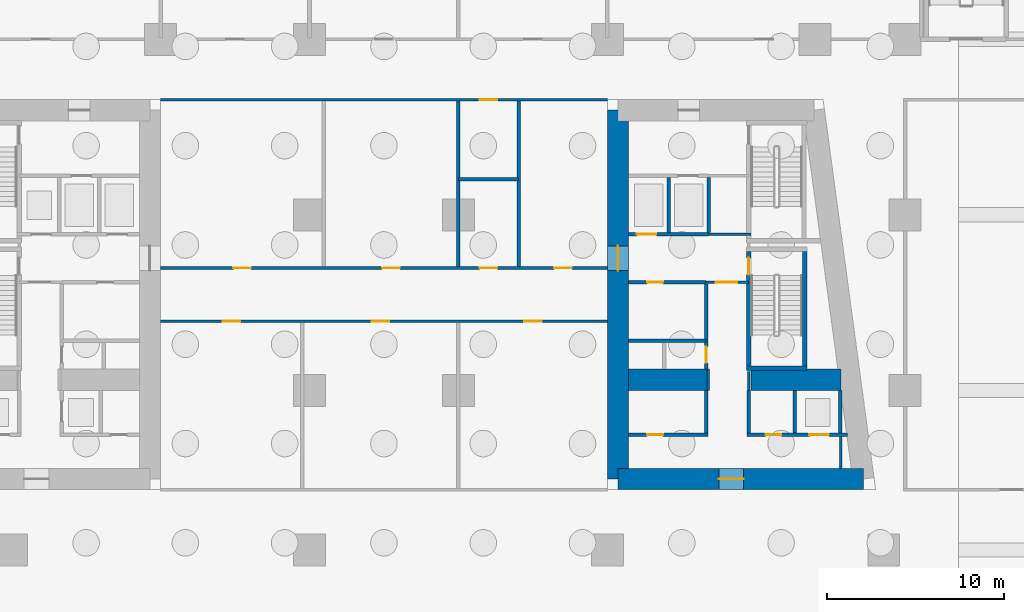
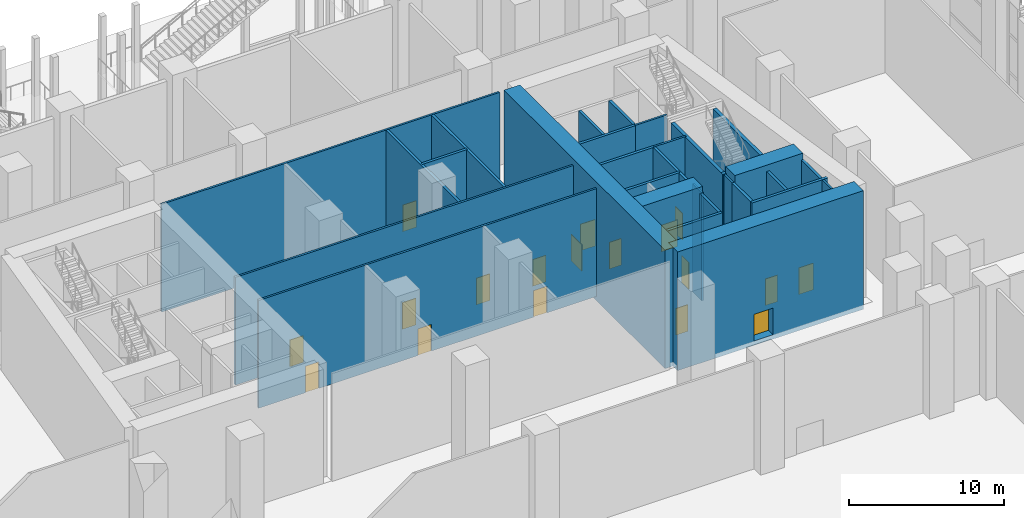
# One storey, part 44 of 72: 30 walls, 18 doors, 18 openings.
"""IFC4 building model written with IfcOpenShell, lengths in metres."""

from ifc_helpers import new_model, si_unit, direction, frame, frame_2d, origin, place, context, subcontext, project, spatial, rectangle, extrude, material, layer, layer_set, type_object, element, fill, save


model = new_model("IFC4")

# Units and contexts
model_context = context("Model", 3, precision=1e-05, world=origin(), true_north=direction((0.0, 1.0)))
body_context = subcontext(model_context, "Body", "Model", "MODEL_VIEW")
ifc_project = project(units=[si_unit("LENGTHUNIT", "METRE"), si_unit("AREAUNIT", "SQUARE_METRE"), si_unit("VOLUMEUNIT", "CUBIC_METRE"), si_unit("PLANEANGLEUNIT", "RADIAN"), si_unit("MASSUNIT", "GRAM", prefix="KILO")], contexts=[model_context])

# Site, building, storey
site_placement = place(None, origin())
site = spatial("IfcSite", under=ifc_project, at=site_placement, CompositionType="ELEMENT")
building_placement = place(site_placement, origin())
building = spatial("IfcBuilding", under=site, at=building_placement, Name="Candeia Pilgrim Tower and Theatre", CompositionType="ELEMENT")
storey_placement = place(building_placement, origin())
storey = spatial("IfcBuildingStorey", under=building, at=storey_placement, Name="L00", CompositionType="ELEMENT", Elevation=0.0)

# Wall, opening, door
ifc_material_1 = material(Name="Concrete C80/95", Category="concrete")
ifc_layer_1 = layer(ifc_material_1, 1.199951171875)
ifc_layer_set_1 = layer_set([ifc_layer_1], Name="Core wall 1200 C80/95")
wall_type_1 = type_object("IfcWallType", Name="Core wall 1200 C80/95", PredefinedType="SHEAR", material=ifc_layer_set_1)
wall_1_placement = place(storey_placement, frame((140.444580078125, 111.0, -0.35009765625), z_axis=(0.0, 0.0, 1.0), x_axis=(-1.0, 0.0, 0.0)))
wall_1 = element("IfcWall", 1, at=wall_1_placement, inside=storey, type_object=wall_type_1, Name="Core wall E3", PredefinedType="SHEAR", context=body_context, shape_type="SweptSolid", body=[
    extrude(rectangle(XDim=13.844482421875, YDim=1.199951171875, at=frame_2d((6.92236328125, 0.0))), origin(), (0.0, 0.0, 1.0), 9.35009765625),
])
opening_1_placement = place(wall_1_placement, frame((6.751220703125, 0.0, 0.35009765625)))
opening_1 = element("IfcOpeningElement", 2, at=opening_1_placement, cuts=wall_1, Name="Opening L00-D048", PredefinedType="OPENING", context=body_context, shape_type="SweptSolid", body=[
    extrude(rectangle(XDim=1.39990234375, YDim=2.10009765625, at=frame_2d((0.699951171875, 1.050048828125))), frame((0.0, 0.60986328125, 0.0), z_axis=(0.0, -1.0, 0.0), x_axis=(1.0, 0.0, 0.0)), (0.0, 0.0, 1.0), 1.219970703125),
])
ifc_material_2 = material(Name="Steel fire door set", Category="steel")
door_type_1 = type_object("IfcDoorType", Name="D-1400-FD60", OperationType="NOTDEFINED", PredefinedType="DOOR", material=ifc_material_2)
door_1_placement = place(opening_1_placement, origin())
door_1 = element("IfcDoor", 3, at=door_1_placement, inside=storey, type_object=door_type_1, Name="Door L00-D048", OperationType="SINGLE_SWING_LEFT", OverallHeight=2.10009765625, OverallWidth=1.39990234375, PredefinedType="DOOR", context=body_context, shape_type="SweptSolid", body=[
    extrude(rectangle(XDim=1.39990234375, YDim=2.10009765625, at=frame_2d((0.699951171875, 1.050048828125))), frame((0.0, 0.02490234375, 0.0), z_axis=(0.0, -1.0, 0.0), x_axis=(1.0, 0.0, 0.0)), (0.0, 0.0, 1.0), 0.050048828125),
])
fill(opening_1, door_1)

wall_2_placement = place(storey_placement, frame((126.60009765625, 111.0, -0.35009765625), z_axis=(0.0, 0.0, 1.0), x_axis=(0.0, 1.0, 0.0)))
wall_2 = element("IfcWall", 4, at=wall_2_placement, inside=storey, type_object=wall_type_1, Name="Core wall E4", PredefinedType="SHEAR", context=body_context, shape_type="SweptSolid", body=[
    extrude(rectangle(XDim=20.800048828125, YDim=1.199951171875, at=frame_2d((10.39990234375, 0.0))), origin(), (0.0, 0.0, 1.0), 9.35009765625),
])
opening_2_placement = place(wall_2_placement, frame((11.75, 0.0, 0.35009765625)))
opening_2 = element("IfcOpeningElement", 5, at=opening_2_placement, cuts=wall_2, Name="Opening L00-D050", PredefinedType="OPENING", context=body_context, shape_type="SweptSolid", body=[
    extrude(rectangle(XDim=1.39990234375, YDim=2.10009765625, at=frame_2d((0.699951171875, 1.050048828125))), frame((0.0, 0.60986328125, 0.0), z_axis=(0.0, -1.0, 0.0), x_axis=(1.0, 0.0, 0.0)), (0.0, 0.0, 1.0), 1.219970703125),
])
door_2_placement = place(opening_2_placement, origin())
door_2 = element("IfcDoor", 6, at=door_2_placement, inside=storey, type_object=door_type_1, Name="Door L00-D050", OperationType="SINGLE_SWING_LEFT", OverallHeight=2.10009765625, OverallWidth=1.39990234375, PredefinedType="DOOR", context=body_context, shape_type="SweptSolid", body=[
    extrude(rectangle(XDim=1.39990234375, YDim=2.10009765625, at=frame_2d((0.699951171875, 1.050048828125))), frame((0.0, 0.02490234375, 0.0), z_axis=(0.0, -1.0, 0.0), x_axis=(1.0, 0.0, 0.0)), (0.0, 0.0, 1.0), 0.050048828125),
])
fill(opening_2, door_2)

# Walls
wall_3_placement = place(storey_placement, frame((127.199951171875, 116.60009765625, -0.35009765625), z_axis=(0.0, 0.0, 1.0), x_axis=(1.0, 0.0, 0.0)))
element("IfcWall", 7, at=wall_3_placement, inside=storey, type_object=wall_type_1, Name="Core wall E5", PredefinedType="SHEAR", context=body_context, shape_type="SweptSolid", body=[
    extrude(rectangle(XDim=4.5, YDim=1.199951171875, at=frame_2d((2.25, 0.0))), origin(), (0.0, 0.0, 1.0), 9.35009765625),
])
wall_4_placement = place(storey_placement, frame((134.10009765625, 116.60009765625, -0.35009765625), z_axis=(0.0, 0.0, 1.0), x_axis=(1.0, 0.0, 0.0)))
element("IfcWall", 8, at=wall_4_placement, inside=storey, type_object=wall_type_1, Name="Core wall E6", PredefinedType="SHEAR", context=body_context, shape_type="SweptSolid", body=[
    extrude(rectangle(XDim=5.076904296875, YDim=1.199951171875, at=frame_2d((2.53857421875, 0.0))), origin(), (0.0, 0.0, 1.0), 9.35009765625),
])

# Wall, opening, door
ifc_material_3 = material(Name="Gypsum board partition on steel studs", Category="steel")
ifc_layer_2 = layer(ifc_material_3, 0.14990234375)
ifc_layer_set_2 = layer_set([ifc_layer_2], Name="PW-150 lobby wall")
wall_type_2 = type_object("IfcWallType", Name="PW-150 lobby wall", PredefinedType="PARTITIONING", material=ifc_layer_set_2)
wall_5_placement = place(storey_placement, frame((131.572998046875, 122.10009765625, 0.0), z_axis=(0.0, 0.0, 1.0), x_axis=(1.0, 0.0, 0.0)))
wall_5 = element("IfcWall", 9, at=wall_5_placement, inside=storey, type_object=wall_type_2, Name="Lobby wall L00-017", PredefinedType="PARTITIONING", context=body_context, shape_type="SweptSolid", body=[
    extrude(rectangle(XDim=2.39990234375, YDim=0.14990234375, at=frame_2d((1.199951171875, 0.0))), origin(), (0.0, 0.0, 1.0), 8.5),
])
opening_3_placement = place(wall_5_placement, frame((0.550048828125, 0.0, 0.0)))
opening_3 = element("IfcOpeningElement", 10, at=opening_3_placement, cuts=wall_5, Name="Opening L00-D038", PredefinedType="OPENING", context=body_context, shape_type="SweptSolid", body=[
    extrude(rectangle(XDim=1.199951171875, YDim=2.10009765625, at=frame_2d((0.60009765625, 1.050048828125))), frame((0.0, 0.0849609375, 0.0), z_axis=(0.0, -1.0, 0.0), x_axis=(1.0, 0.0, 0.0)), (0.0, 0.0, 1.0), 0.169921875),
])
door_type_2 = type_object("IfcDoorType", Name="D-1200-FD60", OperationType="NOTDEFINED", PredefinedType="DOOR", material=ifc_material_2)
door_3_placement = place(opening_3_placement, origin())
door_3 = element("IfcDoor", 11, at=door_3_placement, inside=storey, type_object=door_type_2, Name="Door L00-D038", OperationType="SINGLE_SWING_RIGHT", OverallHeight=2.10009765625, OverallWidth=1.199951171875, PredefinedType="DOOR", context=body_context, shape_type="SweptSolid", body=[
    extrude(rectangle(XDim=1.199951171875, YDim=2.10009765625, at=frame_2d((0.60009765625, 1.050048828125))), frame((0.0, 0.02490234375, 0.0), z_axis=(0.0, -1.0, 0.0), x_axis=(1.0, 0.0, 0.0)), (0.0, 0.0, 1.0), 0.050048828125),
])
fill(opening_3, door_3)

# Walls
wall_6_placement = place(storey_placement, frame((131.71533203125, 124.800048828125, 0.0), z_axis=(0.0, 0.0, 1.0), x_axis=(1.0, 0.0, 0.0)))
element("IfcWall", 12, at=wall_6_placement, inside=storey, type_object=wall_type_2, Name="Lobby wall L00-025", PredefinedType="PARTITIONING", context=body_context, shape_type="SweptSolid", body=[
    extrude(rectangle(XDim=2.382568359375, YDim=0.14990234375, at=frame_2d((1.19140625, 0.0))), origin(), (0.0, 0.0, 1.0), 8.5),
])
wall_7_placement = place(storey_placement, frame((131.699951171875, 116.0, 0.0), z_axis=(0.0, 0.0, 1.0), x_axis=(0.0, 1.0, 0.0)))
element("IfcWall", 13, at=wall_7_placement, inside=storey, type_object=wall_type_2, Name="Lobby wall L00-081", PredefinedType="PARTITIONING", context=body_context, shape_type="SweptSolid", body=[
    extrude(rectangle(XDim=1.199951171875, YDim=0.14990234375, at=frame_2d((0.60009765625, 0.0))), origin(), (0.0, 0.0, 1.0), 8.5),
])
wall_8_placement = place(storey_placement, frame((133.972900390625, 116.0, 0.0), z_axis=(0.0, 0.0, 1.0), x_axis=(0.0, 1.0, 0.0)))
element("IfcWall", 14, at=wall_8_placement, inside=storey, type_object=wall_type_2, Name="Lobby wall L00-084", PredefinedType="PARTITIONING", context=body_context, shape_type="SweptSolid", body=[
    extrude(rectangle(XDim=1.074951171875, YDim=0.14990234375, at=frame_2d((0.53759765625, 0.0))), origin(), (0.0, 0.0, 1.0), 8.5),
])
wall_9_placement = place(storey_placement, frame((139.1689453125, 111.60009765625, 0.0), z_axis=(0.0, 0.0, 1.0), x_axis=(0.0, 1.0, 0.0)))
element("IfcWall", 15, at=wall_9_placement, inside=storey, type_object=wall_type_2, Name="Lobby wall L00-092", PredefinedType="PARTITIONING", context=body_context, shape_type="SweptSolid", body=[
    extrude(rectangle(XDim=1.7998046875, YDim=0.14990234375, at=frame_2d((0.89990234375, 0.0))), origin(), (0.0, 0.0, 1.0), 8.5),
])

# Wall, openings, doors
ifc_layer_3 = layer(ifc_material_3, 0.14990234375)
ifc_layer_set_3 = layer_set([ifc_layer_3], Name="PW-150 unit wall")
wall_type_3 = type_object("IfcWallType", Name="PW-150 unit wall", PredefinedType="PARTITIONING", material=ifc_layer_set_3)
wall_10_placement = place(storey_placement, frame((100.800048828125, 119.89990234375, 0.0), z_axis=(0.0, 0.0, 1.0), x_axis=(1.0, 0.0, 0.0)))
wall_10 = element("IfcWall", 16, at=wall_10_placement, inside=storey, type_object=wall_type_3, Name="Unit wall L00-013", PredefinedType="PARTITIONING", context=body_context, shape_type="SweptSolid", body=[
    extrude(rectangle(XDim=25.199951171875, YDim=0.14990234375, at=frame_2d((12.60009765625, 0.0))), origin(), (0.0, 0.0, 1.0), 8.5),
])
opening_4_placement = place(wall_10_placement, frame((3.5, 0.0, 0.0)))
opening_4 = element("IfcOpeningElement", 17, at=opening_4_placement, cuts=wall_10, Name="Opening L00-D009", PredefinedType="OPENING", context=body_context, shape_type="SweptSolid", body=[
    extrude(rectangle(XDim=1.0, YDim=2.10009765625, at=frame_2d((0.5, 1.050048828125))), frame((0.0, 0.0849609375, 0.0), z_axis=(0.0, -1.0, 0.0), x_axis=(1.0, 0.0, 0.0)), (0.0, 0.0, 1.0), 0.169921875),
])
opening_5_placement = place(wall_10_placement, frame((11.89990234375, 0.0, 0.0)))
opening_5 = element("IfcOpeningElement", 18, at=opening_5_placement, cuts=wall_10, Name="Opening L00-D010", PredefinedType="OPENING", context=body_context, shape_type="SweptSolid", body=[
    extrude(rectangle(XDim=1.0, YDim=2.10009765625, at=frame_2d((0.5, 1.050048828125))), frame((0.0, 0.0849609375, 0.0), z_axis=(0.0, -1.0, 0.0), x_axis=(1.0, 0.0, 0.0)), (0.0, 0.0, 1.0), 0.169921875),
])
opening_6_placement = place(wall_10_placement, frame((20.5, 0.0, 0.0)))
opening_6 = element("IfcOpeningElement", 19, at=opening_6_placement, cuts=wall_10, Name="Opening L00-D011", PredefinedType="OPENING", context=body_context, shape_type="SweptSolid", body=[
    extrude(rectangle(XDim=1.0, YDim=2.10009765625, at=frame_2d((0.5, 1.050048828125))), frame((0.0, 0.0849609375, 0.0), z_axis=(0.0, -1.0, 0.0), x_axis=(1.0, 0.0, 0.0)), (0.0, 0.0, 1.0), 0.169921875),
])
door_type_3 = type_object("IfcDoorType", Name="D-1000-FD30S", OperationType="NOTDEFINED", PredefinedType="DOOR", material=ifc_material_2)
door_4_placement = place(opening_4_placement, origin())
door_4 = element("IfcDoor", 20, at=door_4_placement, inside=storey, type_object=door_type_3, Name="Door L00-D009", OperationType="SINGLE_SWING_LEFT", OverallHeight=2.10009765625, OverallWidth=1.0, PredefinedType="DOOR", context=body_context, shape_type="SweptSolid", body=[
    extrude(rectangle(XDim=1.0, YDim=2.10009765625, at=frame_2d((0.5, 1.050048828125))), frame((0.0, 0.02490234375, 0.0), z_axis=(0.0, -1.0, 0.0), x_axis=(1.0, 0.0, 0.0)), (0.0, 0.0, 1.0), 0.050048828125),
])
fill(opening_4, door_4)
door_5_placement = place(opening_5_placement, origin())
door_5 = element("IfcDoor", 21, at=door_5_placement, inside=storey, type_object=door_type_3, Name="Door L00-D010", OperationType="SINGLE_SWING_RIGHT", OverallHeight=2.10009765625, OverallWidth=1.0, PredefinedType="DOOR", context=body_context, shape_type="SweptSolid", body=[
    extrude(rectangle(XDim=1.0, YDim=2.10009765625, at=frame_2d((0.5, 1.050048828125))), frame((0.0, 0.02490234375, 0.0), z_axis=(0.0, -1.0, 0.0), x_axis=(1.0, 0.0, 0.0)), (0.0, 0.0, 1.0), 0.050048828125),
])
fill(opening_5, door_5)
door_6_placement = place(opening_6_placement, origin())
door_6 = element("IfcDoor", 22, at=door_6_placement, inside=storey, type_object=door_type_3, Name="Door L00-D011", OperationType="SINGLE_SWING_LEFT", OverallHeight=2.10009765625, OverallWidth=1.0, PredefinedType="DOOR", context=body_context, shape_type="SweptSolid", body=[
    extrude(rectangle(XDim=1.0, YDim=2.10009765625, at=frame_2d((0.5, 1.050048828125))), frame((0.0, 0.02490234375, 0.0), z_axis=(0.0, -1.0, 0.0), x_axis=(1.0, 0.0, 0.0)), (0.0, 0.0, 1.0), 0.050048828125),
])
fill(opening_6, door_6)

wall_11_placement = place(storey_placement, frame((100.800048828125, 122.89990234375, 0.0), z_axis=(0.0, 0.0, 1.0), x_axis=(1.0, 0.0, 0.0)))
wall_11 = element("IfcWall", 23, at=wall_11_placement, inside=storey, type_object=wall_type_3, Name="Unit wall L00-018", PredefinedType="PARTITIONING", context=body_context, shape_type="SweptSolid", body=[
    extrude(rectangle(XDim=25.199951171875, YDim=0.14990234375, at=frame_2d((12.60009765625, 0.0))), origin(), (0.0, 0.0, 1.0), 8.5),
])
opening_7_placement = place(wall_11_placement, frame((4.10009765625, 0.0, 0.0)))
opening_7 = element("IfcOpeningElement", 24, at=opening_7_placement, cuts=wall_11, Name="Opening L00-D012", PredefinedType="OPENING", context=body_context, shape_type="SweptSolid", body=[
    extrude(rectangle(XDim=1.0, YDim=2.10009765625, at=frame_2d((0.5, 1.050048828125))), frame((0.0, 0.0849609375, 0.0), z_axis=(0.0, -1.0, 0.0), x_axis=(1.0, 0.0, 0.0)), (0.0, 0.0, 1.0), 0.169921875),
])
opening_8_placement = place(wall_11_placement, frame((12.5, 0.0, 0.0)))
opening_8 = element("IfcOpeningElement", 25, at=opening_8_placement, cuts=wall_11, Name="Opening L00-D013", PredefinedType="OPENING", context=body_context, shape_type="SweptSolid", body=[
    extrude(rectangle(XDim=1.0, YDim=2.10009765625, at=frame_2d((0.5, 1.050048828125))), frame((0.0, 0.0849609375, 0.0), z_axis=(0.0, -1.0, 0.0), x_axis=(1.0, 0.0, 0.0)), (0.0, 0.0, 1.0), 0.169921875),
])
opening_9_placement = place(wall_11_placement, frame((18.0, 0.0, 0.0)))
opening_9 = element("IfcOpeningElement", 26, at=opening_9_placement, cuts=wall_11, Name="Opening L00-D014", PredefinedType="OPENING", context=body_context, shape_type="SweptSolid", body=[
    extrude(rectangle(XDim=1.0, YDim=2.10009765625, at=frame_2d((0.5, 1.050048828125))), frame((0.0, 0.0849609375, 0.0), z_axis=(0.0, -1.0, 0.0), x_axis=(1.0, 0.0, 0.0)), (0.0, 0.0, 1.0), 0.169921875),
])
opening_10_placement = place(wall_11_placement, frame((22.199951171875, 0.0, 0.0)))
opening_10 = element("IfcOpeningElement", 27, at=opening_10_placement, cuts=wall_11, Name="Opening L00-D015", PredefinedType="OPENING", context=body_context, shape_type="SweptSolid", body=[
    extrude(rectangle(XDim=1.0, YDim=2.10009765625, at=frame_2d((0.5, 1.050048828125))), frame((0.0, 0.0849609375, 0.0), z_axis=(0.0, -1.0, 0.0), x_axis=(1.0, 0.0, 0.0)), (0.0, 0.0, 1.0), 0.169921875),
])
door_7_placement = place(opening_7_placement, origin())
door_7 = element("IfcDoor", 28, at=door_7_placement, inside=storey, type_object=door_type_3, Name="Door L00-D012", OperationType="SINGLE_SWING_RIGHT", OverallHeight=2.10009765625, OverallWidth=1.0, PredefinedType="DOOR", context=body_context, shape_type="SweptSolid", body=[
    extrude(rectangle(XDim=1.0, YDim=2.10009765625, at=frame_2d((0.5, 1.050048828125))), frame((0.0, 0.02490234375, 0.0), z_axis=(0.0, -1.0, 0.0), x_axis=(1.0, 0.0, 0.0)), (0.0, 0.0, 1.0), 0.050048828125),
])
fill(opening_7, door_7)
door_8_placement = place(opening_8_placement, origin())
door_8 = element("IfcDoor", 29, at=door_8_placement, inside=storey, type_object=door_type_3, Name="Door L00-D013", OperationType="SINGLE_SWING_LEFT", OverallHeight=2.10009765625, OverallWidth=1.0, PredefinedType="DOOR", context=body_context, shape_type="SweptSolid", body=[
    extrude(rectangle(XDim=1.0, YDim=2.10009765625, at=frame_2d((0.5, 1.050048828125))), frame((0.0, 0.02490234375, 0.0), z_axis=(0.0, -1.0, 0.0), x_axis=(1.0, 0.0, 0.0)), (0.0, 0.0, 1.0), 0.050048828125),
])
fill(opening_8, door_8)
door_9_placement = place(opening_9_placement, origin())
door_9 = element("IfcDoor", 30, at=door_9_placement, inside=storey, type_object=door_type_3, Name="Door L00-D014", OperationType="SINGLE_SWING_RIGHT", OverallHeight=2.10009765625, OverallWidth=1.0, PredefinedType="DOOR", context=body_context, shape_type="SweptSolid", body=[
    extrude(rectangle(XDim=1.0, YDim=2.10009765625, at=frame_2d((0.5, 1.050048828125))), frame((0.0, 0.02490234375, 0.0), z_axis=(0.0, -1.0, 0.0), x_axis=(1.0, 0.0, 0.0)), (0.0, 0.0, 1.0), 0.050048828125),
])
fill(opening_9, door_9)
door_10_placement = place(opening_10_placement, origin())
door_10 = element("IfcDoor", 31, at=door_10_placement, inside=storey, type_object=door_type_3, Name="Door L00-D015", OperationType="SINGLE_SWING_LEFT", OverallHeight=2.10009765625, OverallWidth=1.0, PredefinedType="DOOR", context=body_context, shape_type="SweptSolid", body=[
    extrude(rectangle(XDim=1.0, YDim=2.10009765625, at=frame_2d((0.5, 1.050048828125))), frame((0.0, 0.02490234375, 0.0), z_axis=(0.0, -1.0, 0.0), x_axis=(1.0, 0.0, 0.0)), (0.0, 0.0, 1.0), 0.050048828125),
])
fill(opening_10, door_10)

# Wall, opening, door
wall_12_placement = place(storey_placement, frame((100.800048828125, 132.39990234375, 0.0), z_axis=(0.0, 0.0, 1.0), x_axis=(1.0, 0.0, 0.0)))
wall_12 = element("IfcWall", 32, at=wall_12_placement, inside=storey, type_object=wall_type_3, Name="Unit wall L00-033", PredefinedType="PARTITIONING", context=body_context, shape_type="SweptSolid", body=[
    extrude(rectangle(XDim=25.199951171875, YDim=0.14990234375, at=frame_2d((12.60009765625, 0.0))), origin(), (0.0, 0.0, 1.0), 8.5),
])
opening_11_placement = place(wall_12_placement, frame((18.0, 0.0, 0.0)))
opening_11 = element("IfcOpeningElement", 33, at=opening_11_placement, cuts=wall_12, Name="Opening L00-D016", PredefinedType="OPENING", context=body_context, shape_type="SweptSolid", body=[
    extrude(rectangle(XDim=1.0, YDim=2.10009765625, at=frame_2d((0.5, 1.050048828125))), frame((0.0, 0.0849609375, 0.0), z_axis=(0.0, -1.0, 0.0), x_axis=(1.0, 0.0, 0.0)), (0.0, 0.0, 1.0), 0.169921875),
])
door_11_placement = place(opening_11_placement, origin())
door_11 = element("IfcDoor", 34, at=door_11_placement, inside=storey, type_object=door_type_3, Name="Door L00-D016", OperationType="SINGLE_SWING_RIGHT", OverallHeight=2.10009765625, OverallWidth=1.0, PredefinedType="DOOR", context=body_context, shape_type="SweptSolid", body=[
    extrude(rectangle(XDim=1.0, YDim=2.10009765625, at=frame_2d((0.5, 1.050048828125))), frame((0.0, 0.02490234375, 0.0), z_axis=(0.0, -1.0, 0.0), x_axis=(1.0, 0.0, 0.0)), (0.0, 0.0, 1.0), 0.050048828125),
])
fill(opening_11, door_11)

# Walls
ifc_layer_4 = layer(ifc_material_3, 0.199951171875)
ifc_layer_set_4 = layer_set([ifc_layer_4], Name="PW-200 party wall")
wall_type_4 = type_object("IfcWallType", Name="PW-200 party wall", PredefinedType="PARTITIONING", material=ifc_layer_set_4)
wall_13_placement = place(storey_placement, frame((117.60009765625, 127.89990234375, 0.0), z_axis=(0.0, 0.0, 1.0), x_axis=(1.0, 0.0, 0.0)))
element("IfcWall", 35, at=wall_13_placement, inside=storey, type_object=wall_type_4, Name="Party wall L00-026", PredefinedType="PARTITIONING", context=body_context, shape_type="SweptSolid", body=[
    extrude(rectangle(XDim=3.39990234375, YDim=0.199951171875, at=frame_2d((1.699951171875, 0.0))), origin(), (0.0, 0.0, 1.0), 8.5),
])
for number, where, z_axis, x_axis, name in (
    (36, (117.60009765625, 122.97509765625, 0.0), (0.0, 0.0, 1.0), (0.0, 1.0, 0.0), "Party wall L00-073"),
    (37, (121.0, 122.97509765625, 0.0), (0.0, 0.0, 1.0), (0.0, 1.0, 0.0), "Party wall L00-075"),
):
    element("IfcWall", number, at=place(storey_placement, frame(where, z_axis=z_axis, x_axis=x_axis)), inside=storey, type_object=wall_type_4, Name=name, PredefinedType="PARTITIONING", context=body_context, shape_type="SweptSolid", body=[
        extrude(rectangle(XDim=9.349853515625, YDim=0.199951171875, at=frame_2d((4.6748046875, 0.0))), origin(), (0.0, 0.0, 1.0), 8.5),
    ])

# Wall, opening, door
ifc_material_4 = material(Name="Concrete C40/50", Category="concrete")
ifc_layer_5 = layer(ifc_material_4, 0.199951171875)
ifc_layer_set_5 = layer_set([ifc_layer_5], Name="SW-200 shaft wall")
wall_type_5 = type_object("IfcWallType", Name="SW-200 shaft wall", PredefinedType="PARTITIONING", material=ifc_layer_set_5)
wall_14_placement = place(storey_placement, frame((127.199951171875, 113.5, 0.0), z_axis=(0.0, 0.0, 1.0), x_axis=(1.0, 0.0, 0.0)))
wall_14 = element("IfcWall", 38, at=wall_14_placement, inside=storey, type_object=wall_type_5, Name="Shaft wall L00-007", PredefinedType="PARTITIONING", context=body_context, shape_type="SweptSolid", body=[
    extrude(rectangle(XDim=4.47314453125, YDim=0.199951171875, at=frame_2d((2.236572265625, 0.0))), origin(), (0.0, 0.0, 1.0), 8.5),
])
opening_12_placement = place(wall_14_placement, frame((1.04296875, 0.0, 0.0)))
opening_12 = element("IfcOpeningElement", 39, at=opening_12_placement, cuts=wall_14, Name="Opening L00-D044", PredefinedType="OPENING", context=body_context, shape_type="SweptSolid", body=[
    extrude(rectangle(XDim=0.89990234375, YDim=2.10009765625, at=frame_2d((0.449951171875, 1.050048828125))), frame((0.0, 0.10986328125, 0.0), z_axis=(0.0, -1.0, 0.0), x_axis=(1.0, 0.0, 0.0)), (0.0, 0.0, 1.0), 0.219970703125),
])
door_type_4 = type_object("IfcDoorType", Name="D-900-FD60", OperationType="NOTDEFINED", PredefinedType="DOOR", material=ifc_material_2)
door_12_placement = place(opening_12_placement, origin())
door_12 = element("IfcDoor", 40, at=door_12_placement, inside=storey, type_object=door_type_4, Name="Door L00-D044", OperationType="SINGLE_SWING_LEFT", OverallHeight=2.10009765625, OverallWidth=0.89990234375, PredefinedType="DOOR", context=body_context, shape_type="SweptSolid", body=[
    extrude(rectangle(XDim=0.89990234375, YDim=2.10009765625, at=frame_2d((0.449951171875, 1.050048828125))), frame((0.0, 0.02490234375, 0.0), z_axis=(0.0, -1.0, 0.0), x_axis=(1.0, 0.0, 0.0)), (0.0, 0.0, 1.0), 0.050048828125),
])
fill(opening_12, door_12)

# Wall, openings, doors
wall_15_placement = place(storey_placement, frame((133.873046875, 113.5, 0.0), z_axis=(0.0, 0.0, 1.0), x_axis=(1.0, 0.0, 0.0)))
wall_15 = element("IfcWall", 41, at=wall_15_placement, inside=storey, type_object=wall_type_5, Name="Shaft wall L00-008", PredefinedType="PARTITIONING", context=body_context, shape_type="SweptSolid", body=[
    extrude(rectangle(XDim=5.65966796875, YDim=0.199951171875, at=frame_2d((2.829833984375, 0.0))), origin(), (0.0, 0.0, 1.0), 8.5),
])
opening_13_placement = place(wall_15_placement, frame((3.527099609375, 0.0, 0.0)))
opening_13 = element("IfcOpeningElement", 42, at=opening_13_placement, cuts=wall_15, Name="Opening L00-LD09", PredefinedType="OPENING", context=body_context, shape_type="SweptSolid", body=[
    extrude(rectangle(XDim=1.10009765625, YDim=2.10009765625, at=frame_2d((0.550048828125, 1.050048828125))), frame((0.0, 0.10986328125, 0.0), z_axis=(0.0, -1.0, 0.0), x_axis=(1.0, 0.0, 0.0)), (0.0, 0.0, 1.0), 0.219970703125),
])
opening_14_placement = place(wall_15_placement, frame((1.049072265625, 0.0, 0.0)))
opening_14 = element("IfcOpeningElement", 43, at=opening_14_placement, cuts=wall_15, Name="Opening L00-D043", PredefinedType="OPENING", context=body_context, shape_type="SweptSolid", body=[
    extrude(rectangle(XDim=0.89990234375, YDim=2.10009765625, at=frame_2d((0.449951171875, 1.050048828125))), frame((0.0, 0.10986328125, 0.0), z_axis=(0.0, -1.0, 0.0), x_axis=(1.0, 0.0, 0.0)), (0.0, 0.0, 1.0), 0.219970703125),
])
door_13_placement = place(opening_14_placement, origin())
door_13 = element("IfcDoor", 44, at=door_13_placement, inside=storey, type_object=door_type_4, Name="Door L00-D043", OperationType="SINGLE_SWING_RIGHT", OverallHeight=2.10009765625, OverallWidth=0.89990234375, PredefinedType="DOOR", context=body_context, shape_type="SweptSolid", body=[
    extrude(rectangle(XDim=0.89990234375, YDim=2.10009765625, at=frame_2d((0.449951171875, 1.050048828125))), frame((0.0, 0.02490234375, 0.0), z_axis=(0.0, -1.0, 0.0), x_axis=(1.0, 0.0, 0.0)), (0.0, 0.0, 1.0), 0.050048828125),
])
fill(opening_14, door_13)
ifc_material_5 = material(Name="Glazed aluminium landing door", Category="aluminium")
door_type_5 = type_object("IfcDoorType", Name="LD-1100-EI120", OperationType="SLIDING_TO_LEFT", PredefinedType="DOOR", material=ifc_material_5)
door_14_placement = place(opening_13_placement, origin())
door_14 = element("IfcDoor", 45, at=door_14_placement, inside=storey, type_object=door_type_5, Name="Landing door 09 L00", OperationType="SLIDING_TO_LEFT", OverallHeight=2.10009765625, OverallWidth=1.10009765625, PredefinedType="DOOR", context=body_context, shape_type="SweptSolid", body=[
    extrude(rectangle(XDim=1.10009765625, YDim=2.10009765625, at=frame_2d((0.550048828125, 1.050048828125))), frame((0.0, 0.02490234375, 0.0), z_axis=(0.0, -1.0, 0.0), x_axis=(1.0, 0.0, 0.0)), (0.0, 0.0, 1.0), 0.050048828125),
])
fill(opening_13, door_14)

# Wall
wall_16_placement = place(storey_placement, frame((127.199951171875, 118.800048828125, 0.0), z_axis=(0.0, 0.0, 1.0), x_axis=(1.0, 0.0, 0.0)))
element("IfcWall", 46, at=wall_16_placement, inside=storey, type_object=wall_type_5, Name="Shaft wall L00-012", PredefinedType="PARTITIONING", context=body_context, shape_type="SweptSolid", body=[
    extrude(rectangle(XDim=4.373046875, YDim=0.199951171875, at=frame_2d((2.1865234375, 0.0))), origin(), (0.0, 0.0, 1.0), 8.5),
])

# Wall, opening, door
wall_17_placement = place(storey_placement, frame((127.199951171875, 122.10009765625, 0.0), z_axis=(0.0, 0.0, 1.0), x_axis=(1.0, 0.0, 0.0)))
wall_17 = element("IfcWall", 47, at=wall_17_placement, inside=storey, type_object=wall_type_5, Name="Shaft wall L00-015", PredefinedType="PARTITIONING", context=body_context, shape_type="SweptSolid", body=[
    extrude(rectangle(XDim=4.373046875, YDim=0.199951171875, at=frame_2d((2.1865234375, 0.0))), origin(), (0.0, 0.0, 1.0), 8.5),
])
opening_15_placement = place(wall_17_placement, frame((1.04296875, 0.0, 0.0)))
opening_15 = element("IfcOpeningElement", 48, at=opening_15_placement, cuts=wall_17, Name="Opening L00-D039", PredefinedType="OPENING", context=body_context, shape_type="SweptSolid", body=[
    extrude(rectangle(XDim=0.89990234375, YDim=2.10009765625, at=frame_2d((0.449951171875, 1.050048828125))), frame((0.0, 0.10986328125, 0.0), z_axis=(0.0, -1.0, 0.0), x_axis=(1.0, 0.0, 0.0)), (0.0, 0.0, 1.0), 0.219970703125),
])
door_15_placement = place(opening_15_placement, origin())
door_15 = element("IfcDoor", 49, at=door_15_placement, inside=storey, type_object=door_type_4, Name="Door L00-D039", OperationType="SINGLE_SWING_LEFT", OverallHeight=2.10009765625, OverallWidth=0.89990234375, PredefinedType="DOOR", context=body_context, shape_type="SweptSolid", body=[
    extrude(rectangle(XDim=0.89990234375, YDim=2.10009765625, at=frame_2d((0.449951171875, 1.050048828125))), frame((0.0, 0.02490234375, 0.0), z_axis=(0.0, -1.0, 0.0), x_axis=(1.0, 0.0, 0.0)), (0.0, 0.0, 1.0), 0.050048828125),
])
fill(opening_15, door_15)

wall_18_placement = place(storey_placement, frame((127.199951171875, 124.800048828125, 0.0), z_axis=(0.0, 0.0, 1.0), x_axis=(1.0, 0.0, 0.0)))
wall_18 = element("IfcWall", 50, at=wall_18_placement, inside=storey, type_object=wall_type_5, Name="Shaft wall L00-024", PredefinedType="PARTITIONING", context=body_context, shape_type="SweptSolid", body=[
    extrude(rectangle(XDim=4.515380859375, YDim=0.199951171875, at=frame_2d((2.2578125, 0.0))), origin(), (0.0, 0.0, 1.0), 8.5),
])
opening_16_placement = place(wall_18_placement, frame((0.464111328125, 0.0, 0.0)))
opening_16 = element("IfcOpeningElement", 51, at=opening_16_placement, cuts=wall_18, Name="Opening L00-LD08", PredefinedType="OPENING", context=body_context, shape_type="SweptSolid", body=[
    extrude(rectangle(XDim=1.10009765625, YDim=2.10009765625, at=frame_2d((0.550048828125, 1.050048828125))), frame((0.0, 0.10986328125, 0.0), z_axis=(0.0, -1.0, 0.0), x_axis=(1.0, 0.0, 0.0)), (0.0, 0.0, 1.0), 0.219970703125),
])
door_16_placement = place(opening_16_placement, origin())
door_16 = element("IfcDoor", 52, at=door_16_placement, inside=storey, type_object=door_type_5, Name="Landing door 08 L00", OperationType="SLIDING_TO_LEFT", OverallHeight=2.10009765625, OverallWidth=1.10009765625, PredefinedType="DOOR", context=body_context, shape_type="SweptSolid", body=[
    extrude(rectangle(XDim=1.10009765625, YDim=2.10009765625, at=frame_2d((0.550048828125, 1.050048828125))), frame((0.0, 0.02490234375, 0.0), z_axis=(0.0, -1.0, 0.0), x_axis=(1.0, 0.0, 0.0)), (0.0, 0.0, 1.0), 0.050048828125),
])
fill(opening_16, door_16)

# Walls
wall_19_placement = place(storey_placement, frame((129.457763671875, 124.89990234375, 0.0), z_axis=(0.0, 0.0, 1.0), x_axis=(0.0, 1.0, 0.0)))
element("IfcWall", 53, at=wall_19_placement, inside=storey, type_object=wall_type_5, Name="Shaft wall L00-078", PredefinedType="PARTITIONING", context=body_context, shape_type="SweptSolid", body=[
    extrude(rectangle(XDim=3.10009765625, YDim=0.199951171875, at=frame_2d((1.550048828125, 0.0))), origin(), (0.0, 0.0, 1.0), 8.5),
])
wall_20_placement = place(storey_placement, frame((131.572998046875, 113.60009765625, 0.0), z_axis=(0.0, 0.0, 1.0), x_axis=(0.0, 1.0, 0.0)))
element("IfcWall", 54, at=wall_20_placement, inside=storey, type_object=wall_type_5, Name="Shaft wall L00-079", PredefinedType="PARTITIONING", context=body_context, shape_type="SweptSolid", body=[
    extrude(rectangle(XDim=2.39990234375, YDim=0.199951171875, at=frame_2d((1.199951171875, 0.0))), origin(), (0.0, 0.0, 1.0), 8.5),
])

# Wall, opening, door
wall_21_placement = place(storey_placement, frame((131.572998046875, 117.199951171875, 0.0), z_axis=(0.0, 0.0, 1.0), x_axis=(0.0, 1.0, 0.0)))
wall_21 = element("IfcWall", 55, at=wall_21_placement, inside=storey, type_object=wall_type_5, Name="Shaft wall L00-080", PredefinedType="PARTITIONING", context=body_context, shape_type="SweptSolid", body=[
    extrude(rectangle(XDim=4.800048828125, YDim=0.199951171875, at=frame_2d((2.39990234375, 0.0))), origin(), (0.0, 0.0, 1.0), 8.5),
])
opening_17_placement = place(wall_21_placement, frame((0.35009765625, 0.0, 0.0)))
opening_17 = element("IfcOpeningElement", 56, at=opening_17_placement, cuts=wall_21, Name="Opening L00-D042", PredefinedType="OPENING", context=body_context, shape_type="SweptSolid", body=[
    extrude(rectangle(XDim=0.89990234375, YDim=2.10009765625, at=frame_2d((0.449951171875, 1.050048828125))), frame((0.0, 0.10986328125, 0.0), z_axis=(0.0, -1.0, 0.0), x_axis=(1.0, 0.0, 0.0)), (0.0, 0.0, 1.0), 0.219970703125),
])
door_17_placement = place(opening_17_placement, origin())
door_17 = element("IfcDoor", 57, at=door_17_placement, inside=storey, type_object=door_type_4, Name="Door L00-D042", OperationType="SINGLE_SWING_RIGHT", OverallHeight=2.10009765625, OverallWidth=0.89990234375, PredefinedType="DOOR", context=body_context, shape_type="SweptSolid", body=[
    extrude(rectangle(XDim=0.89990234375, YDim=2.10009765625, at=frame_2d((0.449951171875, 1.050048828125))), frame((0.0, 0.02490234375, 0.0), z_axis=(0.0, -1.0, 0.0), x_axis=(1.0, 0.0, 0.0)), (0.0, 0.0, 1.0), 0.050048828125),
])
fill(opening_17, door_17)

# Walls
wall_22_placement = place(storey_placement, frame((131.71533203125, 124.89990234375, 0.0), z_axis=(0.0, 0.0, 1.0), x_axis=(0.0, 1.0, 0.0)))
element("IfcWall", 58, at=wall_22_placement, inside=storey, type_object=wall_type_5, Name="Shaft wall L00-082", PredefinedType="PARTITIONING", context=body_context, shape_type="SweptSolid", body=[
    extrude(rectangle(XDim=3.10009765625, YDim=0.199951171875, at=frame_2d((1.550048828125, 0.0))), origin(), (0.0, 0.0, 1.0), 8.5),
])
for number, where, z_axis, x_axis, name in (
    (59, (133.972900390625, 113.60009765625, 0.0), (0.0, 0.0, 1.0), (0.0, 1.0, 0.0), "Shaft wall L00-083"),
    (60, (136.571044921875, 113.60009765625, 0.0), (0.0, 0.0, 1.0), (0.0, 1.0, 0.0), "Shaft wall L00-088"),
    (61, (139.14697265625, 113.60009765625, 0.0), (0.0, 0.0, 1.0), (0.0, 1.0, 0.0), "Shaft wall L00-091"),
):
    element("IfcWall", number, at=place(storey_placement, frame(where, z_axis=z_axis, x_axis=x_axis)), inside=storey, type_object=wall_type_5, Name=name, PredefinedType="PARTITIONING", context=body_context, shape_type="SweptSolid", body=[
        extrude(rectangle(XDim=2.39990234375, YDim=0.199951171875, at=frame_2d((1.199951171875, 0.0))), origin(), (0.0, 0.0, 1.0), 8.5),
    ])
ifc_layer_6 = layer(ifc_material_4, 0.25)
ifc_layer_set_6 = layer_set([ifc_layer_6], Name="SW-250 stair wall")
wall_type_6 = type_object("IfcWallType", Name="SW-250 stair wall", PredefinedType="PARTITIONING", material=ifc_layer_set_6)
wall_23_placement = place(storey_placement, frame((133.847900390625, 117.2451171875, 0.0), z_axis=(0.0, 0.0, 1.0), x_axis=(1.0, 0.0, 0.0)))
element("IfcWall", 62, at=wall_23_placement, inside=storey, type_object=wall_type_6, Name="Stair wall L00-010", PredefinedType="PARTITIONING", context=body_context, shape_type="SweptSolid", body=[
    extrude(rectangle(XDim=3.400146484375, YDim=0.25, at=frame_2d((1.7001953125, 0.0))), origin(), (0.0, 0.0, 1.0), 8.5),
])

# Wall, opening, door
wall_24_placement = place(storey_placement, frame((133.972900390625, 117.169921875, 0.0), z_axis=(0.0, 0.0, 1.0), x_axis=(0.0, 1.0, 0.0)))
wall_24 = element("IfcWall", 63, at=wall_24_placement, inside=storey, type_object=wall_type_6, Name="Stair wall L00-086", PredefinedType="PARTITIONING", context=body_context, shape_type="SweptSolid", body=[
    extrude(rectangle(XDim=6.655029296875, YDim=0.25, at=frame_2d((3.32763671875, 0.0))), origin(), (0.0, 0.0, 1.0), 8.5),
])
opening_18_placement = place(wall_24_placement, frame((5.35498046875, 0.0, 0.0)))
opening_18 = element("IfcOpeningElement", 64, at=opening_18_placement, cuts=wall_24, Name="Opening L00-D040", PredefinedType="OPENING", context=body_context, shape_type="SweptSolid", body=[
    extrude(rectangle(XDim=0.949951171875, YDim=2.10009765625, at=frame_2d((0.47509765625, 1.050048828125))), frame((0.0, 0.135009765625, 0.0), z_axis=(0.0, -1.0, 0.0), x_axis=(1.0, 0.0, 0.0)), (0.0, 0.0, 1.0), 0.27001953125),
])
door_type_6 = type_object("IfcDoorType", Name="D-950-FD60", OperationType="NOTDEFINED", PredefinedType="DOOR", material=ifc_material_2)
door_18_placement = place(opening_18_placement, origin())
door_18 = element("IfcDoor", 65, at=door_18_placement, inside=storey, type_object=door_type_6, Name="Door L00-D040", OperationType="SINGLE_SWING_RIGHT", OverallHeight=2.10009765625, OverallWidth=0.949951171875, PredefinedType="DOOR", context=body_context, shape_type="SweptSolid", body=[
    extrude(rectangle(XDim=0.949951171875, YDim=2.10009765625, at=frame_2d((0.47509765625, 1.050048828125))), frame((0.0, 0.02490234375, 0.0), z_axis=(0.0, -1.0, 0.0), x_axis=(1.0, 0.0, 0.0)), (0.0, 0.0, 1.0), 0.050048828125),
])
fill(opening_18, door_18)

# Wall
wall_25_placement = place(storey_placement, frame((137.123046875, 117.169921875, 0.0), z_axis=(0.0, 0.0, 1.0), x_axis=(0.0, 1.0, 0.0)))
element("IfcWall", 66, at=wall_25_placement, inside=storey, type_object=wall_type_6, Name="Stair wall L00-089", PredefinedType="PARTITIONING", context=body_context, shape_type="SweptSolid", body=[
    extrude(rectangle(XDim=6.655029296875, YDim=0.25, at=frame_2d((3.32763671875, 0.0))), origin(), (0.0, 0.0, 1.0), 8.5),
])

save(model, "model.ifc")
